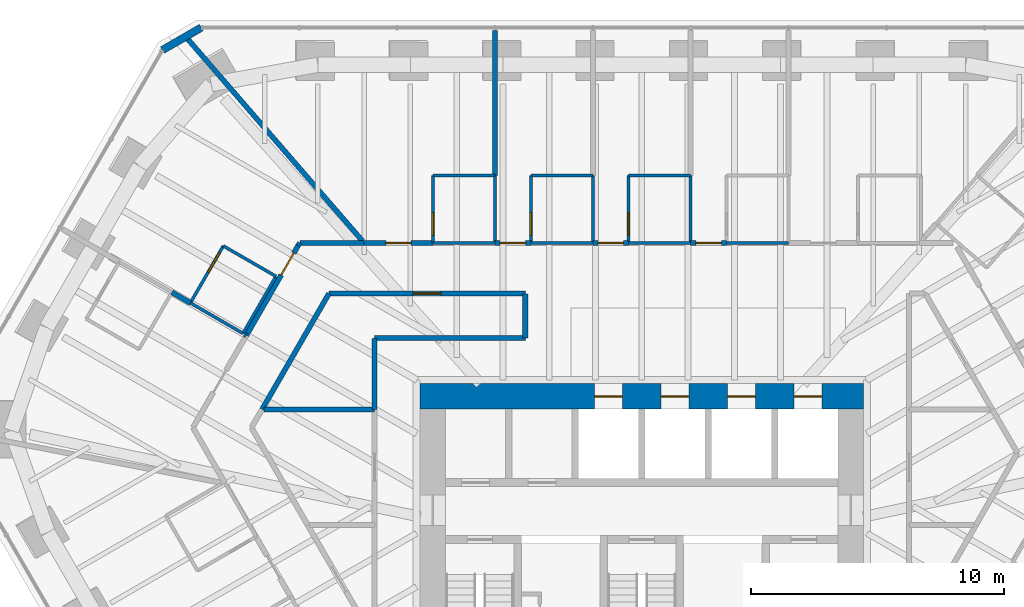
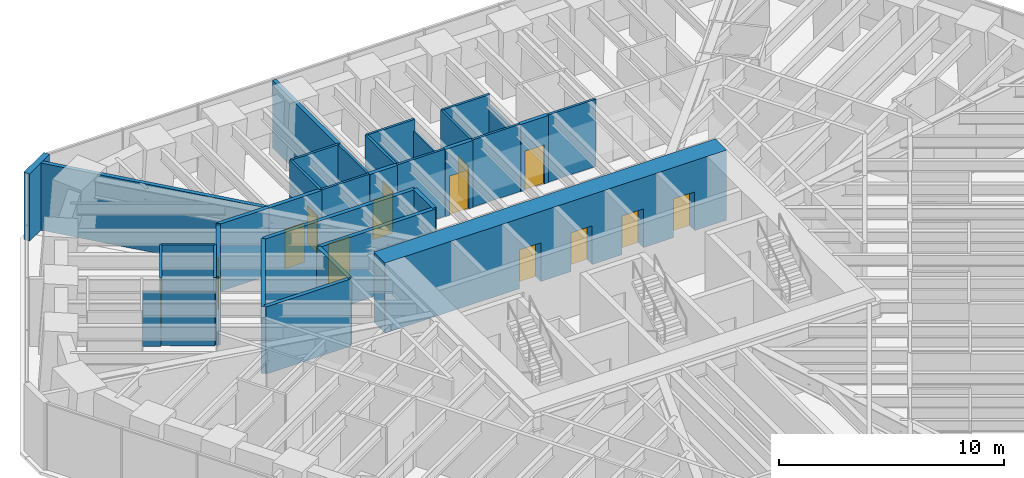
# One storey, part 15 of 17: 36 walls, 14 doors, 14 openings.
"""IFC4 building model written with IfcOpenShell, lengths in metres."""

from ifc_helpers import new_model, si_unit, direction, frame, frame_2d, origin, place, context, subcontext, project, spatial, rectangle, extrude, material, layer, layer_set, type_object, element, fill, save


model = new_model("IFC4")

# Units and contexts
model_context = context("Model", 3, precision=1e-05, world=origin(), true_north=direction((0.0, 1.0)))
body_context = subcontext(model_context, "Body", "Model", "MODEL_VIEW")
ifc_project = project(units=[si_unit("LENGTHUNIT", "METRE"), si_unit("AREAUNIT", "SQUARE_METRE"), si_unit("VOLUMEUNIT", "CUBIC_METRE"), si_unit("PLANEANGLEUNIT", "RADIAN"), si_unit("MASSUNIT", "GRAM", prefix="KILO")], contexts=[model_context])

# Site, building, storey
site_placement = place(None, origin())
site = spatial("IfcSite", under=ifc_project, at=site_placement, CompositionType="ELEMENT")
building_placement = place(site_placement, origin())
building = spatial("IfcBuilding", under=site, at=building_placement, Name="Sandreach Pilgrim Tower", CompositionType="ELEMENT")
storey_placement = place(building_placement, frame((0.0, 0.0, 232.60009765625)))
storey = spatial("IfcBuildingStorey", under=building, at=storey_placement, Name="L58", CompositionType="ELEMENT", Elevation=232.60009765625)

# Wall
ifc_material_1 = material(Name="Moisture-resistant gypsum board on steel studs", Category="steel")
ifc_layer_1 = layer(ifc_material_1, 0.1201171875)
ifc_layer_set_1 = layer_set([ifc_layer_1], Name="Bathroom partition 120")
wall_type_1 = type_object("IfcWallType", Name="Bathroom partition 120", PredefinedType="PARTITIONING", material=ifc_layer_set_1)
wall_1_placement = place(storey_placement, frame((-17.820068359375, 10.2900390625, 0.0), z_axis=(0.0, 0.0, 1.0), x_axis=(0.86531257009, -0.501232636652, 0.0)))
element("IfcWall", 1, at=wall_1_placement, inside=storey, type_object=wall_type_1, Name="Bathroom partition L58-010", PredefinedType="PARTITIONING", context=body_context, shape_type="SweptSolid", body=[
    extrude(rectangle(XDim=2.4013671875, YDim=0.1201171875, at=frame_2d((1.20068359375, 0.0))), origin(), (0.0, 0.0, 1.0), 2.8779296875),
])

# Wall, opening, door
wall_2_placement = place(storey_placement, frame((-16.52001953125, 12.5400390625, 0.0), z_axis=(0.0, 0.0, 1.0), x_axis=(-0.500291685314, -0.865856933682, 0.0)))
wall_2 = element("IfcWall", 2, at=wall_2_placement, inside=storey, type_object=wall_type_1, Name="Bathroom partition L58-015", PredefinedType="PARTITIONING", context=body_context, shape_type="SweptSolid", body=[
    extrude(rectangle(XDim=2.5986328125, YDim=0.1201171875, at=frame_2d((1.29931640625, 0.0))), origin(), (0.0, 0.0, 1.0), 3.639892578125),
])
opening_1_placement = place(wall_2_placement, frame((0.300048828125, 0.0, 0.0)))
opening_1 = element("IfcOpeningElement", 3, at=opening_1_placement, cuts=wall_2, Name="Opening D09-19B", PredefinedType="OPENING", context=body_context, shape_type="SweptSolid", body=[
    extrude(rectangle(XDim=0.89990234375, YDim=2.030029296875, at=frame_2d((0.449951171875, 1.01513671875))), frame((0.0, 0.06005859375, 0.0), z_axis=(0.0, -1.0, 0.0), x_axis=(1.0, 0.0, 0.0)), (0.0, 0.0, 1.0), 0.1201171875),
])
ifc_material_2 = material(Name="Timber door, steel frame", Category="steel")
door_type_1 = type_object("IfcDoorType", Name="Bathroom door", OperationType="SINGLE_SWING_LEFT", PredefinedType="DOOR", material=ifc_material_2)
door_1_placement = place(opening_1_placement, origin())
door_1 = element("IfcDoor", 4, at=door_1_placement, inside=storey, type_object=door_type_1, Name="Door 5819B", OperationType="SINGLE_SWING_LEFT", OverallHeight=2.030029296875, OverallWidth=0.89990234375, PredefinedType="DOOR", context=body_context, shape_type="SweptSolid", body=[
    extrude(rectangle(XDim=0.89990234375, YDim=2.030029296875, at=frame_2d((0.449951171875, 1.01513671875))), frame((0.0, 0.02490234375, 0.0), z_axis=(0.0, -1.0, 0.0), x_axis=(1.0, 0.0, 0.0)), (0.0, 0.0, 1.0), 0.050048828125),
])
fill(opening_1, door_1)

# Walls
wall_3_placement = place(storey_placement, frame((-15.739990234375, 9.090087890625, 0.0), z_axis=(0.0, 0.0, 1.0), x_axis=(0.500291685314, 0.865856933682, 0.0)))
element("IfcWall", 5, at=wall_3_placement, inside=storey, type_object=wall_type_1, Name="Bathroom partition L58-019", PredefinedType="PARTITIONING", context=body_context, shape_type="SweptSolid", body=[
    extrude(rectangle(XDim=2.5986328125, YDim=0.1201171875, at=frame_2d((1.29931640625, 0.0))), origin(), (0.0, 0.0, 1.0), 3.639892578125),
])
wall_4_placement = place(storey_placement, frame((-14.43994140625, 11.340087890625, 0.0), z_axis=(0.0, 0.0, 1.0), x_axis=(-0.866202511239, 0.499693115345, 0.0)))
element("IfcWall", 6, at=wall_4_placement, inside=storey, type_object=wall_type_1, Name="Bathroom partition L58-028", PredefinedType="PARTITIONING", context=body_context, shape_type="SweptSolid", body=[
    extrude(rectangle(XDim=2.4013671875, YDim=0.1201171875, at=frame_2d((1.20068359375, 0.0))), origin(), (0.0, 0.0, 1.0), 3.639892578125),
])

# Wall, opening, door
wall_5_placement = place(storey_placement, frame((-8.25, 15.330078125, 0.0), z_axis=(0.0, 0.0, 1.0), x_axis=(0.0, -1.0, 0.0)))
wall_5 = element("IfcWall", 7, at=wall_5_placement, inside=storey, type_object=wall_type_1, Name="Bathroom partition L58-046", PredefinedType="PARTITIONING", context=body_context, shape_type="SweptSolid", body=[
    extrude(rectangle(XDim=2.670166015625, YDim=0.1201171875, at=frame_2d((1.3349609375, 0.0))), origin(), (0.0, 0.0, 1.0), 3.639892578125),
])
opening_2_placement = place(wall_5_placement, frame((1.469970703125, 0.0, 0.0)))
opening_2 = element("IfcOpeningElement", 8, at=opening_2_placement, cuts=wall_5, Name="Opening D09-01B", PredefinedType="OPENING", context=body_context, shape_type="SweptSolid", body=[
    extrude(rectangle(XDim=0.89990234375, YDim=2.030029296875, at=frame_2d((0.449951171875, 1.01513671875))), frame((0.0, 0.06005859375, 0.0), z_axis=(0.0, -1.0, 0.0), x_axis=(1.0, 0.0, 0.0)), (0.0, 0.0, 1.0), 0.1201171875),
])
door_2_placement = place(opening_2_placement, origin())
door_2 = element("IfcDoor", 9, at=door_2_placement, inside=storey, type_object=door_type_1, Name="Door 5801B", OperationType="SINGLE_SWING_RIGHT", OverallHeight=2.030029296875, OverallWidth=0.89990234375, PredefinedType="DOOR", context=body_context, shape_type="SweptSolid", body=[
    extrude(rectangle(XDim=0.89990234375, YDim=2.030029296875, at=frame_2d((0.449951171875, 1.01513671875))), frame((0.0, 0.02490234375, 0.0), z_axis=(0.0, -1.0, 0.0), x_axis=(1.0, 0.0, 0.0)), (0.0, 0.0, 1.0), 0.050048828125),
])
fill(opening_2, door_2)

# Walls
for number, where, z_axis, x_axis, name in (
    (10, (-5.800048828125, 12.659912109375, 0.0), (0.0, 0.0, 1.0), (-1.0, 0.0, 0.0), "Bathroom partition L58-049"),
    (11, (-5.800048828125, 15.330078125, 0.0), (0.0, 0.0, 1.0), (-1.0, 0.0, 0.0), "Bathroom partition L58-050"),
):
    element("IfcWall", number, at=place(storey_placement, frame(where, z_axis=z_axis, x_axis=x_axis)), inside=storey, type_object=wall_type_1, Name=name, PredefinedType="PARTITIONING", context=body_context, shape_type="SweptSolid", body=[
        extrude(rectangle(XDim=2.449951171875, YDim=0.1201171875, at=frame_2d((1.22509765625, 0.0))), origin(), (0.0, 0.0, 1.0), 3.639892578125),
    ])
wall_6_placement = place(storey_placement, frame((-5.800048828125, 15.330078125, 0.0), z_axis=(0.0, 0.0, 1.0), x_axis=(0.0, -1.0, 0.0)))
element("IfcWall", 12, at=wall_6_placement, inside=storey, type_object=wall_type_1, Name="Bathroom partition L58-051", PredefinedType="PARTITIONING", context=body_context, shape_type="SweptSolid", body=[
    extrude(rectangle(XDim=2.670166015625, YDim=0.1201171875, at=frame_2d((1.3349609375, 0.0))), origin(), (0.0, 0.0, 1.0), 3.639892578125),
])

# Wall, opening, door
wall_7_placement = place(storey_placement, frame((-4.3798828125, 15.330078125, 0.0), z_axis=(0.0, 0.0, 1.0), x_axis=(0.0, -1.0, 0.0)))
wall_7 = element("IfcWall", 13, at=wall_7_placement, inside=storey, type_object=wall_type_1, Name="Bathroom partition L58-057", PredefinedType="PARTITIONING", context=body_context, shape_type="SweptSolid", body=[
    extrude(rectangle(XDim=2.670166015625, YDim=0.1201171875, at=frame_2d((1.3349609375, 0.0))), origin(), (0.0, 0.0, 1.0), 3.639892578125),
])
opening_3_placement = place(wall_7_placement, frame((1.469970703125, 0.0, 0.0)))
opening_3 = element("IfcOpeningElement", 14, at=opening_3_placement, cuts=wall_7, Name="Opening D09-02B", PredefinedType="OPENING", context=body_context, shape_type="SweptSolid", body=[
    extrude(rectangle(XDim=0.89990234375, YDim=2.030029296875, at=frame_2d((0.449951171875, 1.01513671875))), frame((0.0, 0.06005859375, 0.0), z_axis=(0.0, -1.0, 0.0), x_axis=(1.0, 0.0, 0.0)), (0.0, 0.0, 1.0), 0.1201171875),
])
door_3_placement = place(opening_3_placement, origin())
door_3 = element("IfcDoor", 15, at=door_3_placement, inside=storey, type_object=door_type_1, Name="Door 5802B", OperationType="SINGLE_SWING_RIGHT", OverallHeight=2.030029296875, OverallWidth=0.89990234375, PredefinedType="DOOR", context=body_context, shape_type="SweptSolid", body=[
    extrude(rectangle(XDim=0.89990234375, YDim=2.030029296875, at=frame_2d((0.449951171875, 1.01513671875))), frame((0.0, 0.02490234375, 0.0), z_axis=(0.0, -1.0, 0.0), x_axis=(1.0, 0.0, 0.0)), (0.0, 0.0, 1.0), 0.050048828125),
])
fill(opening_3, door_3)

# Walls
for number, where, z_axis, x_axis, name in (
    (16, (-1.929931640625, 12.659912109375, 0.0), (0.0, 0.0, 1.0), (-1.0, 0.0, 0.0), "Bathroom partition L58-064"),
    (17, (-1.929931640625, 15.330078125, 0.0), (0.0, 0.0, 1.0), (-1.0, 0.0, 0.0), "Bathroom partition L58-065"),
):
    element("IfcWall", number, at=place(storey_placement, frame(where, z_axis=z_axis, x_axis=x_axis)), inside=storey, type_object=wall_type_1, Name=name, PredefinedType="PARTITIONING", context=body_context, shape_type="SweptSolid", body=[
        extrude(rectangle(XDim=2.449951171875, YDim=0.1201171875, at=frame_2d((1.22509765625, 0.0))), origin(), (0.0, 0.0, 1.0), 3.639892578125),
    ])
wall_8_placement = place(storey_placement, frame((-1.929931640625, 15.330078125, 0.0), z_axis=(0.0, 0.0, 1.0), x_axis=(0.0, -1.0, 0.0)))
element("IfcWall", 18, at=wall_8_placement, inside=storey, type_object=wall_type_1, Name="Bathroom partition L58-066", PredefinedType="PARTITIONING", context=body_context, shape_type="SweptSolid", body=[
    extrude(rectangle(XDim=2.670166015625, YDim=0.1201171875, at=frame_2d((1.3349609375, 0.0))), origin(), (0.0, 0.0, 1.0), 3.022705078125),
])

# Wall, opening, door
wall_9_placement = place(storey_placement, frame((-0.52001953125, 15.330078125, 0.0), z_axis=(0.0, 0.0, 1.0), x_axis=(0.0, -1.0, 0.0)))
wall_9 = element("IfcWall", 19, at=wall_9_placement, inside=storey, type_object=wall_type_1, Name="Bathroom partition L58-071", PredefinedType="PARTITIONING", context=body_context, shape_type="SweptSolid", body=[
    extrude(rectangle(XDim=2.670166015625, YDim=0.1201171875, at=frame_2d((1.3349609375, 0.0))), origin(), (0.0, 0.0, 1.0), 3.639892578125),
])
opening_4_placement = place(wall_9_placement, frame((1.469970703125, 0.0, 0.0)))
opening_4 = element("IfcOpeningElement", 20, at=opening_4_placement, cuts=wall_9, Name="Opening D09-03B", PredefinedType="OPENING", context=body_context, shape_type="SweptSolid", body=[
    extrude(rectangle(XDim=0.89990234375, YDim=2.030029296875, at=frame_2d((0.449951171875, 1.01513671875))), frame((0.0, 0.06005859375, 0.0), z_axis=(0.0, -1.0, 0.0), x_axis=(1.0, 0.0, 0.0)), (0.0, 0.0, 1.0), 0.1201171875),
])
door_4_placement = place(opening_4_placement, origin())
door_4 = element("IfcDoor", 21, at=door_4_placement, inside=storey, type_object=door_type_1, Name="Door 5803B", OperationType="SINGLE_SWING_RIGHT", OverallHeight=2.030029296875, OverallWidth=0.89990234375, PredefinedType="DOOR", context=body_context, shape_type="SweptSolid", body=[
    extrude(rectangle(XDim=0.89990234375, YDim=2.030029296875, at=frame_2d((0.449951171875, 1.01513671875))), frame((0.0, 0.02490234375, 0.0), z_axis=(0.0, -1.0, 0.0), x_axis=(1.0, 0.0, 0.0)), (0.0, 0.0, 1.0), 0.050048828125),
])
fill(opening_4, door_4)

# Walls
for number, where, z_axis, x_axis, name in (
    (22, (1.929931640625, 12.659912109375, 0.0), (0.0, 0.0, 1.0), (-1.0, 0.0, 0.0), "Bathroom partition L58-079"),
    (23, (1.929931640625, 15.330078125, 0.0), (0.0, 0.0, 1.0), (-1.0, 0.0, 0.0), "Bathroom partition L58-080"),
):
    element("IfcWall", number, at=place(storey_placement, frame(where, z_axis=z_axis, x_axis=x_axis)), inside=storey, type_object=wall_type_1, Name=name, PredefinedType="PARTITIONING", context=body_context, shape_type="SweptSolid", body=[
        extrude(rectangle(XDim=2.449951171875, YDim=0.1201171875, at=frame_2d((1.22509765625, 0.0))), origin(), (0.0, 0.0, 1.0), 3.639892578125),
    ])
wall_10_placement = place(storey_placement, frame((1.929931640625, 15.330078125, 0.0), z_axis=(0.0, 0.0, 1.0), x_axis=(0.0, -1.0, 0.0)))
element("IfcWall", 24, at=wall_10_placement, inside=storey, type_object=wall_type_1, Name="Bathroom partition L58-081", PredefinedType="PARTITIONING", context=body_context, shape_type="SweptSolid", body=[
    extrude(rectangle(XDim=2.670166015625, YDim=0.1201171875, at=frame_2d((1.3349609375, 0.0))), origin(), (0.0, 0.0, 1.0), 3.022705078125),
])
wall_11_placement = place(storey_placement, frame((5.800048828125, 12.659912109375, 0.0), z_axis=(0.0, 0.0, 1.0), x_axis=(-1.0, 0.0, 0.0)))
element("IfcWall", 25, at=wall_11_placement, inside=storey, type_object=wall_type_1, Name="Bathroom partition L58-092", PredefinedType="PARTITIONING", context=body_context, shape_type="SweptSolid", body=[
    extrude(rectangle(XDim=2.449951171875, YDim=0.1201171875, at=frame_2d((1.22509765625, 0.0))), origin(), (0.0, 0.0, 1.0), 3.639892578125),
])

# Wall, openings, doors
ifc_material_3 = material(Name="Concrete 10000 psi", Category="concrete")
ifc_layer_2 = layer(ifc_material_3, 1.0)
ifc_layer_set_2 = layer_set([ifc_layer_2], Name="Core wall 1000")
wall_type_2 = type_object("IfcWallType", Name="Core wall 1000", PredefinedType="SHEAR", material=ifc_layer_set_2)
wall_12_placement = place(storey_placement, frame((-8.75, 6.60009765625, 0.0), z_axis=(0.0, 0.0, 1.0), x_axis=(1.0, 0.0, 0.0)))
wall_12 = element("IfcWall", 26, at=wall_12_placement, inside=storey, type_object=wall_type_2, Name="Core wall N L58", PredefinedType="SHEAR", context=body_context, shape_type="SweptSolid", body=[
    extrude(rectangle(XDim=17.5, YDim=1.0, at=frame_2d((8.75, 0.0))), origin(), (0.0, 0.0, 1.0), 3.7998046875),
])
opening_5_placement = place(wall_12_placement, frame((6.887451171875, 0.0, 0.0)))
opening_5 = element("IfcOpeningElement", 27, at=opening_5_placement, cuts=wall_12, Name="Opening LD11", PredefinedType="OPENING", context=body_context, shape_type="SweptSolid", body=[
    extrude(rectangle(XDim=1.10009765625, YDim=2.10009765625, at=frame_2d((0.550048828125, 1.050048828125))), frame((0.0, 0.5, 0.0), z_axis=(0.0, -1.0, 0.0), x_axis=(1.0, 0.0, 0.0)), (0.0, 0.0, 1.0), 1.0),
])
opening_6_placement = place(wall_12_placement, frame((9.512451171875, 0.0, 0.0)))
opening_6 = element("IfcOpeningElement", 28, at=opening_6_placement, cuts=wall_12, Name="Opening LD11", PredefinedType="OPENING", context=body_context, shape_type="SweptSolid", body=[
    extrude(rectangle(XDim=1.10009765625, YDim=2.10009765625, at=frame_2d((0.550048828125, 1.050048828125))), frame((0.0, 0.5, 0.0), z_axis=(0.0, -1.0, 0.0), x_axis=(1.0, 0.0, 0.0)), (0.0, 0.0, 1.0), 1.0),
])
opening_7_placement = place(wall_12_placement, frame((12.137451171875, 0.0, 0.0)))
opening_7 = element("IfcOpeningElement", 29, at=opening_7_placement, cuts=wall_12, Name="Opening LD11", PredefinedType="OPENING", context=body_context, shape_type="SweptSolid", body=[
    extrude(rectangle(XDim=1.10009765625, YDim=2.10009765625, at=frame_2d((0.550048828125, 1.050048828125))), frame((0.0, 0.5, 0.0), z_axis=(0.0, -1.0, 0.0), x_axis=(1.0, 0.0, 0.0)), (0.0, 0.0, 1.0), 1.0),
])
opening_8_placement = place(wall_12_placement, frame((14.762451171875, 0.0, 0.0)))
opening_8 = element("IfcOpeningElement", 30, at=opening_8_placement, cuts=wall_12, Name="Opening LD11", PredefinedType="OPENING", context=body_context, shape_type="SweptSolid", body=[
    extrude(rectangle(XDim=1.10009765625, YDim=2.10009765625, at=frame_2d((0.550048828125, 1.050048828125))), frame((0.0, 0.5, 0.0), z_axis=(0.0, -1.0, 0.0), x_axis=(1.0, 0.0, 0.0)), (0.0, 0.0, 1.0), 1.0),
])
ifc_material_4 = material(Name="Steel door and frame", Category="steel")
door_type_2 = type_object("IfcDoorType", Name="Lift landing door", OperationType="DOUBLE_DOOR_SLIDING", PredefinedType="DOOR", material=ifc_material_4)
door_5_placement = place(opening_5_placement, origin())
door_5 = element("IfcDoor", 31, at=door_5_placement, inside=storey, type_object=door_type_2, Name="Lift landing door Z3A L58", OperationType="DOUBLE_DOOR_SLIDING", OverallHeight=2.10009765625, OverallWidth=1.10009765625, PredefinedType="DOOR", context=body_context, shape_type="SweptSolid", body=[
    extrude(rectangle(XDim=1.10009765625, YDim=2.10009765625, at=frame_2d((0.550048828125, 1.050048828125))), frame((0.0, 0.02490234375, 0.0), z_axis=(0.0, -1.0, 0.0), x_axis=(1.0, 0.0, 0.0)), (0.0, 0.0, 1.0), 0.050048828125),
])
fill(opening_5, door_5)
door_6_placement = place(opening_6_placement, origin())
door_6 = element("IfcDoor", 32, at=door_6_placement, inside=storey, type_object=door_type_2, Name="Lift landing door Z3B L58", OperationType="DOUBLE_DOOR_SLIDING", OverallHeight=2.10009765625, OverallWidth=1.10009765625, PredefinedType="DOOR", context=body_context, shape_type="SweptSolid", body=[
    extrude(rectangle(XDim=1.10009765625, YDim=2.10009765625, at=frame_2d((0.550048828125, 1.050048828125))), frame((0.0, 0.02490234375, 0.0), z_axis=(0.0, -1.0, 0.0), x_axis=(1.0, 0.0, 0.0)), (0.0, 0.0, 1.0), 0.050048828125),
])
fill(opening_6, door_6)
door_7_placement = place(opening_7_placement, origin())
door_7 = element("IfcDoor", 33, at=door_7_placement, inside=storey, type_object=door_type_2, Name="Lift landing door Z3C L58", OperationType="DOUBLE_DOOR_SLIDING", OverallHeight=2.10009765625, OverallWidth=1.10009765625, PredefinedType="DOOR", context=body_context, shape_type="SweptSolid", body=[
    extrude(rectangle(XDim=1.10009765625, YDim=2.10009765625, at=frame_2d((0.550048828125, 1.050048828125))), frame((0.0, 0.02490234375, 0.0), z_axis=(0.0, -1.0, 0.0), x_axis=(1.0, 0.0, 0.0)), (0.0, 0.0, 1.0), 0.050048828125),
])
fill(opening_7, door_7)
door_8_placement = place(opening_8_placement, origin())
door_8 = element("IfcDoor", 34, at=door_8_placement, inside=storey, type_object=door_type_2, Name="Lift landing door Z3D L58", OperationType="DOUBLE_DOOR_SLIDING", OverallHeight=2.10009765625, OverallWidth=1.10009765625, PredefinedType="DOOR", context=body_context, shape_type="SweptSolid", body=[
    extrude(rectangle(XDim=1.10009765625, YDim=2.10009765625, at=frame_2d((0.550048828125, 1.050048828125))), frame((0.0, 0.02490234375, 0.0), z_axis=(0.0, -1.0, 0.0), x_axis=(1.0, 0.0, 0.0)), (0.0, 0.0, 1.0), 0.050048828125),
])
fill(opening_8, door_8)

# Wall, opening, door
ifc_material_5 = material(Name="Gypsum board on steel studs, two layers each side", Category="steel")
ifc_layer_3 = layer(ifc_material_5, 0.199951171875)
ifc_layer_set_3 = layer_set([ifc_layer_3], Name="Corridor wall 200")
wall_type_3 = type_object("IfcWallType", Name="Corridor wall 200", PredefinedType="PARTITIONING", material=ifc_layer_set_3)
wall_13_placement = place(storey_placement, frame((-15.610107421875, 9.010009765625, 0.0), z_axis=(0.0, 0.0, 1.0), x_axis=(0.499301665038, 0.866428212428, 0.0)))
wall_13 = element("IfcWall", 35, at=wall_13_placement, inside=storey, type_object=wall_type_3, Name="Corridor wall L58-021", PredefinedType="PARTITIONING", context=body_context, shape_type="SweptSolid", body=[
    extrude(rectangle(XDim=4.085693359375, YDim=0.199951171875, at=frame_2d((2.04296875, 0.0))), origin(), (0.0, 0.0, 1.0), 3.639892578125),
])
opening_9_placement = place(wall_13_placement, frame((2.75, 0.0, 0.0)))
opening_9 = element("IfcOpeningElement", 36, at=opening_9_placement, cuts=wall_13, Name="Opening D10-19", PredefinedType="OPENING", context=body_context, shape_type="SweptSolid", body=[
    extrude(rectangle(XDim=1.0, YDim=2.1298828125, at=frame_2d((0.5, 1.06494140625))), frame((0.0, 0.10009765625, 0.0), z_axis=(0.0, -1.0, 0.0), x_axis=(1.0, 0.0, 0.0)), (0.0, 0.0, 1.0), 0.199951171875),
])
ifc_material_6 = material(Name="Steel door and frame", Category="steel")
door_type_3 = type_object("IfcDoorType", Name="Guest room entry door", OperationType="SINGLE_SWING_LEFT", PredefinedType="DOOR", material=ifc_material_6)
door_9_placement = place(opening_9_placement, origin())
door_9 = element("IfcDoor", 37, at=door_9_placement, inside=storey, type_object=door_type_3, Name="Door 5819", OperationType="SINGLE_SWING_RIGHT", OverallHeight=2.1298828125, OverallWidth=1.0, PredefinedType="DOOR", context=body_context, shape_type="SweptSolid", body=[
    extrude(rectangle(XDim=1.0, YDim=2.1298828125, at=frame_2d((0.5, 1.06494140625))), frame((0.0, 0.02490234375, 0.0), z_axis=(0.0, -1.0, 0.0), x_axis=(1.0, 0.0, 0.0)), (0.0, 0.0, 1.0), 0.050048828125),
])
fill(opening_9, door_9)

# Walls
wall_14_placement = place(storey_placement, frame((-14.989990234375, 6.090087890625, 0.0), z_axis=(0.0, 0.0, 1.0), x_axis=(0.500213626659, 0.86590203124, 0.0)))
element("IfcWall", 38, at=wall_14_placement, inside=storey, type_object=wall_type_3, Name="Corridor wall L58-025", PredefinedType="PARTITIONING", context=body_context, shape_type="SweptSolid", body=[
    extrude(rectangle(XDim=5.277587890625, YDim=0.199951171875, at=frame_2d((2.638671875, 0.0))), origin(), (0.0, 0.0, 1.0), 3.639892578125),
])
wall_15_placement = place(storey_placement, frame((-13.5, 12.659912109375, 0.0), z_axis=(0.0, 0.0, 1.0), x_axis=(-0.537723852201, -0.843121022614, 0.0)))
element("IfcWall", 39, at=wall_15_placement, inside=storey, type_object=wall_type_3, Name="Corridor wall L58-030", PredefinedType="PARTITIONING", context=body_context, shape_type="SweptSolid", body=[
    extrude(rectangle(XDim=0.13037109375, YDim=0.199951171875, at=frame_2d((0.065185546875, 0.0))), origin(), (0.0, 0.0, 1.0), 3.639892578125),
])

# Wall, opening, door
wall_16_placement = place(storey_placement, frame((-12.35009765625, 10.659912109375, 0.0), z_axis=(0.0, 0.0, 1.0), x_axis=(1.0, 0.0, 0.0)))
wall_16 = element("IfcWall", 40, at=wall_16_placement, inside=storey, type_object=wall_type_3, Name="Corridor wall L58-033", PredefinedType="PARTITIONING", context=body_context, shape_type="SweptSolid", body=[
    extrude(rectangle(XDim=7.75, YDim=0.199951171875, at=frame_2d((3.875, 0.0))), origin(), (0.0, 0.0, 1.0), 3.639892578125),
])
opening_10_placement = place(wall_16_placement, frame((3.324951171875, 0.0, 0.0)))
opening_10 = element("IfcOpeningElement", 41, at=opening_10_placement, cuts=wall_16, Name="Opening D11H-M03", PredefinedType="OPENING", context=body_context, shape_type="SweptSolid", body=[
    extrude(rectangle(XDim=1.10009765625, YDim=2.199951171875, at=frame_2d((0.550048828125, 1.10009765625))), frame((0.0, 0.10009765625, 0.0), z_axis=(0.0, -1.0, 0.0), x_axis=(1.0, 0.0, 0.0)), (0.0, 0.0, 1.0), 0.199951171875),
])
ifc_material_7 = material(Name="Steel door and frame", Category="steel")
door_type_4 = type_object("IfcDoorType", Name="Back of house door", OperationType="SINGLE_SWING_LEFT", PredefinedType="DOOR", material=ifc_material_7)
door_10_placement = place(opening_10_placement, origin())
door_10 = element("IfcDoor", 42, at=door_10_placement, inside=storey, type_object=door_type_4, Name="Door 58M03", OperationType="SINGLE_SWING_LEFT", OverallHeight=2.199951171875, OverallWidth=1.10009765625, PredefinedType="DOOR", context=body_context, shape_type="SweptSolid", body=[
    extrude(rectangle(XDim=1.10009765625, YDim=2.199951171875, at=frame_2d((0.550048828125, 1.10009765625))), frame((0.0, 0.02490234375, 0.0), z_axis=(0.0, -1.0, 0.0), x_axis=(1.0, 0.0, 0.0)), (0.0, 0.0, 1.0), 0.050048828125),
])
fill(opening_10, door_10)

# Walls
wall_17_placement = place(storey_placement, frame((-10.9599609375, 12.659912109375, 0.0), z_axis=(0.0, 0.0, 1.0), x_axis=(-1.0, 0.0, 0.0)))
element("IfcWall", 43, at=wall_17_placement, inside=storey, type_object=wall_type_3, Name="Corridor wall L58-035", PredefinedType="PARTITIONING", context=body_context, shape_type="SweptSolid", body=[
    extrude(rectangle(XDim=2.5400390625, YDim=0.199951171875, at=frame_2d((1.27001953125, 0.0))), origin(), (0.0, 0.0, 1.0), 3.639892578125),
])
wall_18_placement = place(storey_placement, frame((-10.550048828125, 8.889892578125, 0.0), z_axis=(0.0, 0.0, 1.0), x_axis=(0.0, -1.0, 0.0)))
element("IfcWall", 44, at=wall_18_placement, inside=storey, type_object=wall_type_3, Name="Corridor wall L58-040", PredefinedType="PARTITIONING", context=body_context, shape_type="SweptSolid", body=[
    extrude(rectangle(XDim=2.7998046875, YDim=0.199951171875, at=frame_2d((1.39990234375, 0.0))), origin(), (0.0, 0.0, 1.0), 3.639892578125),
])

# Wall, opening, door
wall_19_placement = place(storey_placement, frame((-8.25, 12.659912109375, 0.0), z_axis=(0.0, 0.0, 1.0), x_axis=(-1.0, 0.0, 0.0)))
wall_19 = element("IfcWall", 45, at=wall_19_placement, inside=storey, type_object=wall_type_3, Name="Corridor wall L58-045", PredefinedType="PARTITIONING", context=body_context, shape_type="SweptSolid", body=[
    extrude(rectangle(XDim=2.7099609375, YDim=0.199951171875, at=frame_2d((1.35498046875, 0.0))), origin(), (0.0, 0.0, 1.0), 3.639892578125),
])
opening_11_placement = place(wall_19_placement, frame((0.85498046875, 0.0, 0.0)))
opening_11 = element("IfcOpeningElement", 46, at=opening_11_placement, cuts=wall_19, Name="Opening D10-01", PredefinedType="OPENING", context=body_context, shape_type="SweptSolid", body=[
    extrude(rectangle(XDim=1.0, YDim=2.1298828125, at=frame_2d((0.5, 1.06494140625))), frame((0.0, 0.10009765625, 0.0), z_axis=(0.0, -1.0, 0.0), x_axis=(1.0, 0.0, 0.0)), (0.0, 0.0, 1.0), 0.199951171875),
])
door_11_placement = place(opening_11_placement, origin())
door_11 = element("IfcDoor", 47, at=door_11_placement, inside=storey, type_object=door_type_3, Name="Door 5801", OperationType="SINGLE_SWING_LEFT", OverallHeight=2.1298828125, OverallWidth=1.0, PredefinedType="DOOR", context=body_context, shape_type="SweptSolid", body=[
    extrude(rectangle(XDim=1.0, YDim=2.1298828125, at=frame_2d((0.5, 1.06494140625))), frame((0.0, 0.02490234375, 0.0), z_axis=(0.0, -1.0, 0.0), x_axis=(1.0, 0.0, 0.0)), (0.0, 0.0, 1.0), 0.050048828125),
])
fill(opening_11, door_11)

# Walls
wall_20_placement = place(storey_placement, frame((-4.60009765625, 8.89990234375, 0.0), z_axis=(0.0, 0.0, 1.0), x_axis=(-1.0, 0.0, 0.0)))
element("IfcWall", 48, at=wall_20_placement, inside=storey, type_object=wall_type_3, Name="Corridor wall L58-054", PredefinedType="PARTITIONING", context=body_context, shape_type="SweptSolid", body=[
    extrude(rectangle(XDim=5.949951171875, YDim=0.199951171875, at=frame_2d((2.97509765625, 0.0))), origin(), (0.0, 0.0, 1.0), 3.639892578125),
])
wall_21_placement = place(storey_placement, frame((-4.60009765625, 10.64990234375, 0.0), z_axis=(0.0, 0.0, 1.0), x_axis=(0.0, -1.0, 0.0)))
element("IfcWall", 49, at=wall_21_placement, inside=storey, type_object=wall_type_3, Name="Corridor wall L58-055", PredefinedType="PARTITIONING", context=body_context, shape_type="SweptSolid", body=[
    extrude(rectangle(XDim=1.739990234375, YDim=0.199951171875, at=frame_2d((0.8701171875, 0.0))), origin(), (0.0, 0.0, 1.0), 3.639892578125),
])

# Wall, opening, door
wall_22_placement = place(storey_placement, frame((-4.3798828125, 12.659912109375, 0.0), z_axis=(0.0, 0.0, 1.0), x_axis=(-1.0, 0.0, 0.0)))
wall_22 = element("IfcWall", 50, at=wall_22_placement, inside=storey, type_object=wall_type_3, Name="Corridor wall L58-056", PredefinedType="PARTITIONING", context=body_context, shape_type="SweptSolid", body=[
    extrude(rectangle(XDim=1.420166015625, YDim=0.199951171875, at=frame_2d((0.7099609375, 0.0))), origin(), (0.0, 0.0, 1.0), 3.639892578125),
])
opening_12_placement = place(wall_22_placement, frame((0.2099609375, 0.0, 0.0)))
opening_12 = element("IfcOpeningElement", 51, at=opening_12_placement, cuts=wall_22, Name="Opening D10-02", PredefinedType="OPENING", context=body_context, shape_type="SweptSolid", body=[
    extrude(rectangle(XDim=1.0, YDim=2.1298828125, at=frame_2d((0.5, 1.06494140625))), frame((0.0, 0.10009765625, 0.0), z_axis=(0.0, -1.0, 0.0), x_axis=(1.0, 0.0, 0.0)), (0.0, 0.0, 1.0), 0.199951171875),
])
door_12_placement = place(opening_12_placement, origin())
door_12 = element("IfcDoor", 52, at=door_12_placement, inside=storey, type_object=door_type_3, Name="Door 5802", OperationType="SINGLE_SWING_LEFT", OverallHeight=2.1298828125, OverallWidth=1.0, PredefinedType="DOOR", context=body_context, shape_type="SweptSolid", body=[
    extrude(rectangle(XDim=1.0, YDim=2.1298828125, at=frame_2d((0.5, 1.06494140625))), frame((0.0, 0.02490234375, 0.0), z_axis=(0.0, -1.0, 0.0), x_axis=(1.0, 0.0, 0.0)), (0.0, 0.0, 1.0), 0.050048828125),
])
fill(opening_12, door_12)

wall_23_placement = place(storey_placement, frame((-0.52001953125, 12.659912109375, 0.0), z_axis=(0.0, 0.0, 1.0), x_axis=(-1.0, 0.0, 0.0)))
wall_23 = element("IfcWall", 53, at=wall_23_placement, inside=storey, type_object=wall_type_3, Name="Corridor wall L58-070", PredefinedType="PARTITIONING", context=body_context, shape_type="SweptSolid", body=[
    extrude(rectangle(XDim=1.409912109375, YDim=0.199951171875, at=frame_2d((0.705078125, 0.0))), origin(), (0.0, 0.0, 1.0), 3.639892578125),
])
opening_13_placement = place(wall_23_placement, frame((0.205078125, 0.0, 0.0)))
opening_13 = element("IfcOpeningElement", 54, at=opening_13_placement, cuts=wall_23, Name="Opening D10-03", PredefinedType="OPENING", context=body_context, shape_type="SweptSolid", body=[
    extrude(rectangle(XDim=1.0, YDim=2.1298828125, at=frame_2d((0.5, 1.06494140625))), frame((0.0, 0.10009765625, 0.0), z_axis=(0.0, -1.0, 0.0), x_axis=(1.0, 0.0, 0.0)), (0.0, 0.0, 1.0), 0.199951171875),
])
door_13_placement = place(opening_13_placement, origin())
door_13 = element("IfcDoor", 55, at=door_13_placement, inside=storey, type_object=door_type_3, Name="Door 5803", OperationType="SINGLE_SWING_LEFT", OverallHeight=2.1298828125, OverallWidth=1.0, PredefinedType="DOOR", context=body_context, shape_type="SweptSolid", body=[
    extrude(rectangle(XDim=1.0, YDim=2.1298828125, at=frame_2d((0.5, 1.06494140625))), frame((0.0, 0.02490234375, 0.0), z_axis=(0.0, -1.0, 0.0), x_axis=(1.0, 0.0, 0.0)), (0.0, 0.0, 1.0), 0.050048828125),
])
fill(opening_13, door_13)

wall_24_placement = place(storey_placement, frame((3.35009765625, 12.659912109375, 0.0), z_axis=(0.0, 0.0, 1.0), x_axis=(-1.0, 0.0, 0.0)))
wall_24 = element("IfcWall", 56, at=wall_24_placement, inside=storey, type_object=wall_type_3, Name="Corridor wall L58-084", PredefinedType="PARTITIONING", context=body_context, shape_type="SweptSolid", body=[
    extrude(rectangle(XDim=1.420166015625, YDim=0.199951171875, at=frame_2d((0.7099609375, 0.0))), origin(), (0.0, 0.0, 1.0), 3.639892578125),
])
opening_14_placement = place(wall_24_placement, frame((0.2099609375, 0.0, 0.0)))
opening_14 = element("IfcOpeningElement", 57, at=opening_14_placement, cuts=wall_24, Name="Opening D10-04", PredefinedType="OPENING", context=body_context, shape_type="SweptSolid", body=[
    extrude(rectangle(XDim=1.0, YDim=2.1298828125, at=frame_2d((0.5, 1.06494140625))), frame((0.0, 0.10009765625, 0.0), z_axis=(0.0, -1.0, 0.0), x_axis=(1.0, 0.0, 0.0)), (0.0, 0.0, 1.0), 0.199951171875),
])
door_14_placement = place(opening_14_placement, origin())
door_14 = element("IfcDoor", 58, at=door_14_placement, inside=storey, type_object=door_type_3, Name="Door 5804", OperationType="SINGLE_SWING_LEFT", OverallHeight=2.1298828125, OverallWidth=1.0, PredefinedType="DOOR", context=body_context, shape_type="SweptSolid", body=[
    extrude(rectangle(XDim=1.0, YDim=2.1298828125, at=frame_2d((0.5, 1.06494140625))), frame((0.0, 0.02490234375, 0.0), z_axis=(0.0, -1.0, 0.0), x_axis=(1.0, 0.0, 0.0)), (0.0, 0.0, 1.0), 0.050048828125),
])
fill(opening_14, door_14)

# Walls
ifc_material_8 = material(Name="Double steel stud acoustic wall, gypsum board", Category="steel")
ifc_layer_4 = layer(ifc_material_8, 0.199951171875)
ifc_layer_set_4 = layer_set([ifc_layer_4], Name="Party wall 200")
wall_type_4 = type_object("IfcWallType", Name="Party wall 200", PredefinedType="PARTITIONING", material=ifc_layer_set_4)
wall_25_placement = place(storey_placement, frame((-18.550048828125, 10.7099609375, 0.0), z_axis=(0.0, 0.0, 1.0), x_axis=(0.865717170405, -0.500533496247, 0.0)))
element("IfcWall", 59, at=wall_25_placement, inside=storey, type_object=wall_type_4, Name="Party wall L58-009", PredefinedType="PARTITIONING", context=body_context, shape_type="SweptSolid", body=[
    extrude(rectangle(XDim=0.84228515625, YDim=0.199951171875, at=frame_2d((0.421142578125, 0.0))), origin(), (0.0, 0.0, 1.0), 2.8779296875),
])
wall_26_placement = place(storey_placement, frame((-15.685791015625, 9.053955078125, 0.0), z_axis=(0.0, 0.0, 1.0), x_axis=(0.86478894661, -0.502135517387, 0.0)))
element("IfcWall", 60, at=wall_26_placement, inside=storey, type_object=wall_type_4, Name="Party wall L58-020", PredefinedType="PARTITIONING", context=body_context, shape_type="SweptSolid", body=[
    extrude(rectangle(XDim=0.08740234375, YDim=0.199951171875, at=frame_2d((0.043701171875, 0.0))), origin(), (0.0, 0.0, 1.0), 3.639892578125),
])
wall_27_placement = place(storey_placement, frame((-14.9150390625, 6.090087890625, 0.0), z_axis=(0.0, 0.0, 1.0), x_axis=(1.0, 0.0, 0.0)))
element("IfcWall", 61, at=wall_27_placement, inside=storey, type_object=wall_type_4, Name="Party wall L58-027", PredefinedType="PARTITIONING", context=body_context, shape_type="SweptSolid", body=[
    extrude(rectangle(XDim=4.35498046875, YDim=0.199951171875, at=frame_2d((2.177490234375, 0.0))), origin(), (0.0, 0.0, 1.0), 3.639892578125),
])
wall_28_placement = place(storey_placement, frame((-11.025390625, 12.735595703125, 0.0), z_axis=(0.0, 0.0, 1.0), x_axis=(-0.654431245438, 0.756121514702, 0.0)))
element("IfcWall", 62, at=wall_28_placement, inside=storey, type_object=wall_type_4, Name="Party wall L58-034", PredefinedType="PARTITIONING", context=body_context, shape_type="SweptSolid", body=[
    extrude(rectangle(XDim=10.6884765625, YDim=0.199951171875, at=frame_2d((5.34423828125, 0.0))), origin(), (0.0, 0.0, 1.0), 3.639892578125),
])
wall_29_placement = place(storey_placement, frame((-5.800048828125, 21.0400390625, 0.0), z_axis=(0.0, 0.0, 1.0), x_axis=(0.0, -1.0, 0.0)))
element("IfcWall", 63, at=wall_29_placement, inside=storey, type_object=wall_type_4, Name="Party wall L58-052", PredefinedType="PARTITIONING", context=body_context, shape_type="SweptSolid", body=[
    extrude(rectangle(XDim=5.7099609375, YDim=0.199951171875, at=frame_2d((2.85498046875, 0.0))), origin(), (0.0, 0.0, 1.0), 3.639892578125),
])
ifc_material_9 = material(Name="Terracotta rainscreen on concrete", Category="masonry")
ifc_layer_5 = layer(ifc_material_9, 0.300048828125)
ifc_layer_set_5 = layer_set([ifc_layer_5], Name="Terracotta chamfer pier")
wall_type_5 = type_object("IfcWallType", Name="Terracotta chamfer pier", PredefinedType="SOLIDWALL", material=ifc_layer_set_5)
wall_30_placement = place(storey_placement, frame((-18.9228515625, 20.275146484375, 0.0), z_axis=(0.0, 0.0, 1.0), x_axis=(0.866036293601, 0.499981137809, 0.0)))
element("IfcWall", 64, at=wall_30_placement, inside=storey, type_object=wall_type_5, Name="Chamfer pier L58 NW", PredefinedType="SOLIDWALL", context=body_context, shape_type="SweptSolid", body=[
    extrude(rectangle(XDim=1.77001953125, YDim=0.300048828125, at=frame_2d((0.885009765625, 0.0))), origin(), (0.0, 0.0, 1.0), 3.639892578125),
])

save(model, "model.ifc")
